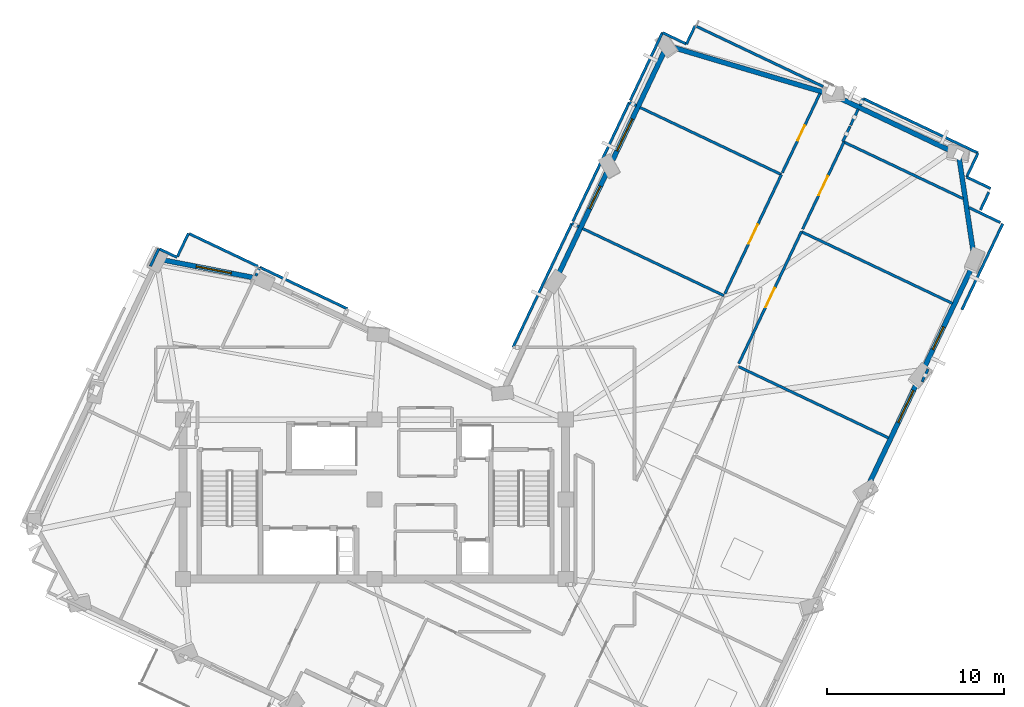
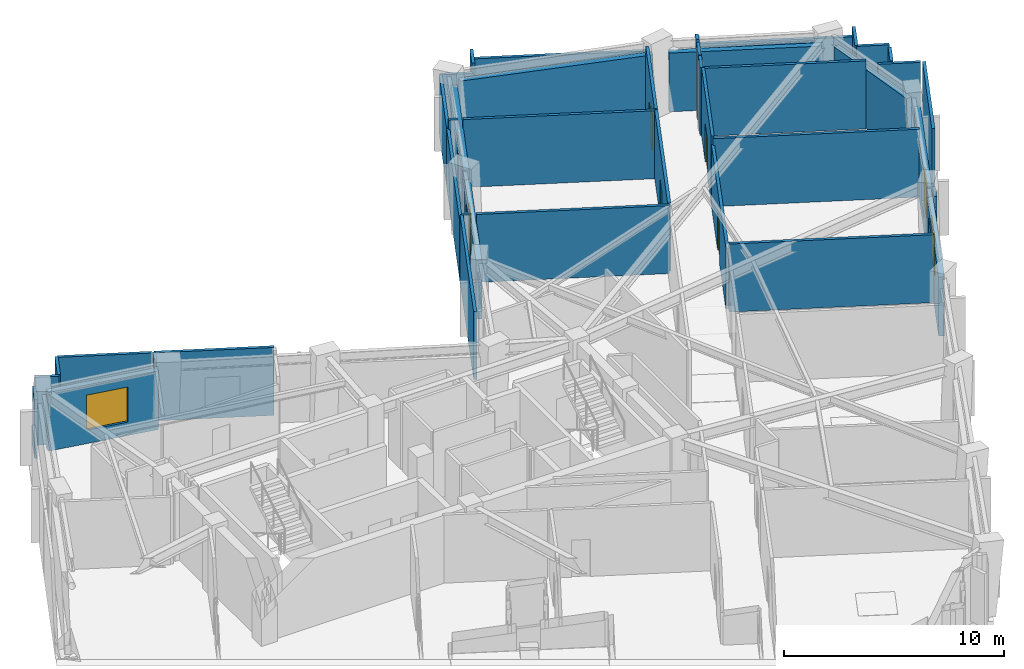
# One storey, part 8 of 13: 41 walls, 5 windows, 4 doors, 9 openings.
"""IFC4 building model written with IfcOpenShell, lengths in metres."""

from ifc_helpers import new_model, si_unit, direction, frame, frame_2d, origin, place, context, subcontext, project, spatial, rectangle, extrude, material, layer, layer_set, type_object, element, fill, save


model = new_model("IFC4")

# Units and contexts
model_context = context("Model", 3, precision=1e-05, world=origin(), true_north=direction((0.0, 1.0)))
body_context = subcontext(model_context, "Body", "Model", "MODEL_VIEW")
ifc_project = project(units=[si_unit("LENGTHUNIT", "METRE"), si_unit("AREAUNIT", "SQUARE_METRE"), si_unit("VOLUMEUNIT", "CUBIC_METRE"), si_unit("PLANEANGLEUNIT", "RADIAN"), si_unit("MASSUNIT", "GRAM", prefix="KILO")], contexts=[model_context])

# Site, building, storey
site_placement = place(None, origin())
site = spatial("IfcSite", under=ifc_project, at=site_placement, CompositionType="ELEMENT")
building_placement = place(site_placement, origin())
building = spatial("IfcBuilding", under=site, at=building_placement, Name="Gaonmaruhae Medical Tower", CompositionType="ELEMENT")
storey_placement = place(building_placement, frame((0.0, 0.0, 300.60009765625)))
storey = spatial("IfcBuildingStorey", under=building, at=storey_placement, Name="L72", CompositionType="ELEMENT", Elevation=300.60009765625)

# Wall, opening, window
ifc_material_1 = material(Name="Precast concrete C45/55", Category="concrete")
ifc_layer_1 = layer(ifc_material_1, 0.280029296875)
ifc_layer_set_1 = layer_set([ifc_layer_1], Name="Precast concrete C45/55")
wall_type_1 = type_object("IfcWallType", Name="EW-280 Upper Precast Masonry-Frame Facade Wall", PredefinedType="SOLIDWALL", material=ifc_layer_set_1)
wall_1_placement = place(storey_placement, frame((55.495849609375, 19.039794921875, 0.0), z_axis=(0.0, 0.0, 1.0), x_axis=(-0.428921563444, -0.903341736229, 0.0)))
wall_1 = element("IfcWall", 1, at=wall_1_placement, inside=storey, type_object=wall_type_1, Name="L72 Precast Masonry-Frame Wall S04-S05", PredefinedType="SOLIDWALL", context=body_context, shape_type="SweptSolid", body=[
    extrude(rectangle(XDim=6.406982421875, YDim=0.280029296875, at=frame_2d((3.20361328125, 0.0))), origin(), (0.0, 0.0, 1.0), 3.264892578125),
])
opening_1_placement = place(wall_1_placement, frame((0.652099609375, 0.0, 0.75)))
opening_1 = element("IfcOpeningElement", 2, at=opening_1_placement, cuts=wall_1, Name="Opening WN-02", PredefinedType="OPENING", context=body_context, shape_type="SweptSolid", body=[
    extrude(rectangle(XDim=2.0, YDim=1.949951171875, at=frame_2d((1.0, 0.97509765625))), frame((0.0, 0.14990234375, 0.0), z_axis=(0.0, -1.0, 0.0), x_axis=(1.0, 0.0, 0.0)), (0.0, 0.0, 1.0), 0.300048828125),
])
ifc_material_2 = material(Name="Anodised aluminium and Low-E double glazing", Category="aluminium")
window_type_1 = type_object("IfcWindowType", Name="WN-02 Double-Bed Ward Punched Window 2000x1950", PartitioningType="SINGLE_PANEL", PredefinedType="WINDOW", material=ifc_material_2)
window_1_placement = place(opening_1_placement, origin())
window_1 = element("IfcWindow", 3, at=window_1_placement, inside=storey, type_object=window_type_1, Name="L72 Modular Facade Window S04", OverallHeight=1.949951171875, OverallWidth=2.0, PartitioningType="SINGLE_PANEL", PredefinedType="WINDOW", context=body_context, shape_type="SweptSolid", body=[
    extrude(rectangle(XDim=2.0, YDim=1.949951171875, at=frame_2d((1.0, 0.97509765625))), frame((0.0, 0.030029296875, 0.0), z_axis=(0.0, -1.0, 0.0), x_axis=(1.0, 0.0, 0.0)), (0.0, 0.0, 1.0), 0.06005859375),
])
fill(opening_1, window_1)

wall_2_placement = place(storey_placement, frame((58.58837890625, 25.552734375, 0.0), z_axis=(0.0, 0.0, 1.0), x_axis=(-0.428939655653, -0.903333145527, 0.0)))
wall_2 = element("IfcWall", 4, at=wall_2_placement, inside=storey, type_object=wall_type_1, Name="L72 Precast Masonry-Frame Wall S05-S06", PredefinedType="SOLIDWALL", context=body_context, shape_type="SweptSolid", body=[
    extrude(rectangle(XDim=6.41845703125, YDim=0.280029296875, at=frame_2d((3.209228515625, 0.0))), origin(), (0.0, 0.0, 1.0), 3.264892578125),
])
opening_2_placement = place(wall_2_placement, frame((3.89794921875, 0.0, 0.75)))
opening_2 = element("IfcOpeningElement", 5, at=opening_2_placement, cuts=wall_2, Name="Opening WN-03", PredefinedType="OPENING", context=body_context, shape_type="SweptSolid", body=[
    extrude(rectangle(XDim=1.39990234375, YDim=1.85009765625, at=frame_2d((0.699951171875, 0.925048828125))), frame((0.0, 0.14990234375, 0.0), z_axis=(0.0, -1.0, 0.0), x_axis=(1.0, 0.0, 0.0)), (0.0, 0.0, 1.0), 0.300048828125),
])
window_type_2 = type_object("IfcWindowType", Name="WN-03 Isolation Ward Punched Window 1400x1850", PartitioningType="SINGLE_PANEL", PredefinedType="WINDOW", material=ifc_material_2)
window_2_placement = place(opening_2_placement, origin())
window_2 = element("IfcWindow", 6, at=window_2_placement, inside=storey, type_object=window_type_2, Name="L72 Modular Facade Window S05", OverallHeight=1.85009765625, OverallWidth=1.39990234375, PartitioningType="SINGLE_PANEL", PredefinedType="WINDOW", context=body_context, shape_type="SweptSolid", body=[
    extrude(rectangle(XDim=1.39990234375, YDim=1.85009765625, at=frame_2d((0.699951171875, 0.925048828125))), frame((0.0, 0.030029296875, 0.0), z_axis=(0.0, -1.0, 0.0), x_axis=(1.0, 0.0, 0.0)), (0.0, 0.0, 1.0), 0.06005859375),
])
fill(opening_2, window_2)

# Walls
wall_3_placement = place(storey_placement, frame((57.7978515625, 31.567138671875, 0.0), z_axis=(0.0, 0.0, 1.0), x_axis=(0.148726062193, -0.988878434604, 0.0)))
element("IfcWall", 7, at=wall_3_placement, inside=storey, type_object=wall_type_1, Name="L72 Precast Masonry-Frame Wall S06-E01", PredefinedType="SOLIDWALL", context=body_context, shape_type="SweptSolid", body=[
    extrude(rectangle(XDim=5.2939453125, YDim=0.280029296875, at=frame_2d((2.64697265625, 0.0))), origin(), (0.0, 0.0, 1.0), 3.264892578125),
])
wall_4_placement = place(storey_placement, frame((50.947998046875, 34.994384765625, 0.0), z_axis=(0.0, 0.0, 1.0), x_axis=(0.903327518923, -0.428951504901, 0.0)))
element("IfcWall", 8, at=wall_4_placement, inside=storey, type_object=wall_type_1, Name="L72 Precast Masonry-Frame Wall E01-E02", PredefinedType="SOLIDWALL", context=body_context, shape_type="SweptSolid", body=[
    extrude(rectangle(XDim=7.046142578125, YDim=0.280029296875, at=frame_2d((3.52294921875, 0.0))), origin(), (0.0, 0.0, 1.0), 3.264892578125),
])
wall_5_placement = place(storey_placement, frame((41.580322265625, 37.828125, 0.0), z_axis=(0.0, 0.0, 1.0), x_axis=(0.958274258343, -0.285850390585, 0.0)))
element("IfcWall", 9, at=wall_5_placement, inside=storey, type_object=wall_type_1, Name="L72 Precast Masonry-Frame Wall E02-E03", PredefinedType="SOLIDWALL", context=body_context, shape_type="SweptSolid", body=[
    extrude(rectangle(XDim=9.0361328125, YDim=0.280029296875, at=frame_2d((4.51806640625, 0.0))), origin(), (0.0, 0.0, 1.0), 3.264892578125),
])

# Wall, opening, window
wall_6_placement = place(storey_placement, frame((38.252197265625, 31.450439453125, 0.0), z_axis=(0.0, 0.0, 1.0), x_axis=(0.428943696589, 0.903331226714, 0.0)))
wall_6 = element("IfcWall", 10, at=wall_6_placement, inside=storey, type_object=wall_type_1, Name="L72 Precast Masonry-Frame Wall E03-EN01", PredefinedType="SOLIDWALL", context=body_context, shape_type="SweptSolid", body=[
    extrude(rectangle(XDim=6.780029296875, YDim=0.280029296875, at=frame_2d((3.39013671875, 0.0))), origin(), (0.0, 0.0, 1.0), 3.264892578125),
])
opening_3_placement = place(wall_6_placement, frame((0.56591796875, 0.0, 0.75)))
opening_3 = element("IfcOpeningElement", 11, at=opening_3_placement, cuts=wall_6, Name="Opening WN-02", PredefinedType="OPENING", context=body_context, shape_type="SweptSolid", body=[
    extrude(rectangle(XDim=2.0, YDim=1.949951171875, at=frame_2d((1.0, 0.97509765625))), frame((0.0, 0.14990234375, 0.0), z_axis=(0.0, -1.0, 0.0), x_axis=(1.0, 0.0, 0.0)), (0.0, 0.0, 1.0), 0.300048828125),
])
window_3_placement = place(opening_3_placement, origin())
window_3 = element("IfcWindow", 12, at=window_3_placement, inside=storey, type_object=window_type_1, Name="L72 Modular Facade Window E03", OverallHeight=1.949951171875, OverallWidth=2.0, PartitioningType="SINGLE_PANEL", PredefinedType="WINDOW", context=body_context, shape_type="SweptSolid", body=[
    extrude(rectangle(XDim=2.0, YDim=1.949951171875, at=frame_2d((1.0, 0.97509765625))), frame((0.0, 0.030029296875, 0.0), z_axis=(0.0, -1.0, 0.0), x_axis=(1.0, 0.0, 0.0)), (0.0, 0.0, 1.0), 0.06005859375),
])
fill(opening_3, window_3)

wall_7_placement = place(storey_placement, frame((35.16650390625, 24.951416015625, 0.0), z_axis=(0.0, 0.0, 1.0), x_axis=(0.42889830824, 0.903352777817, 0.0)))
wall_7 = element("IfcWall", 13, at=wall_7_placement, inside=storey, type_object=wall_type_1, Name="L72 Precast Masonry-Frame Wall EN01-EN02", PredefinedType="SOLIDWALL", context=body_context, shape_type="SweptSolid", body=[
    extrude(rectangle(XDim=6.409423828125, YDim=0.280029296875, at=frame_2d((3.20458984375, 0.0))), origin(), (0.0, 0.0, 1.0), 3.264892578125),
])
opening_4_placement = place(wall_7_placement, frame((4.155517578125, 0.0, 0.75)))
opening_4 = element("IfcOpeningElement", 14, at=opening_4_placement, cuts=wall_7, Name="Opening WN-03", PredefinedType="OPENING", context=body_context, shape_type="SweptSolid", body=[
    extrude(rectangle(XDim=1.39990234375, YDim=1.85009765625, at=frame_2d((0.699951171875, 0.925048828125))), frame((0.0, 0.14990234375, 0.0), z_axis=(0.0, -1.0, 0.0), x_axis=(1.0, 0.0, 0.0)), (0.0, 0.0, 1.0), 0.300048828125),
])
window_4_placement = place(opening_4_placement, origin())
window_4 = element("IfcWindow", 15, at=window_4_placement, inside=storey, type_object=window_type_2, Name="L72 Modular Facade Window EN01", OverallHeight=1.85009765625, OverallWidth=1.39990234375, PartitioningType="SINGLE_PANEL", PredefinedType="WINDOW", context=body_context, shape_type="SweptSolid", body=[
    extrude(rectangle(XDim=1.39990234375, YDim=1.85009765625, at=frame_2d((0.699951171875, 0.925048828125))), frame((0.0, 0.030029296875, 0.0), z_axis=(0.0, -1.0, 0.0), x_axis=(1.0, 0.0, 0.0)), (0.0, 0.0, 1.0), 0.06005859375),
])
fill(opening_4, window_4)

wall_8_placement = place(storey_placement, frame((12.954345703125, 25.797607421875, 0.0), z_axis=(0.0, 0.0, 1.0), x_axis=(0.981565032418, -0.191128457152, 0.0)))
wall_8 = element("IfcWall", 16, at=wall_8_placement, inside=storey, type_object=wall_type_1, Name="L72 Precast Masonry-Frame Wall NE02-N01", PredefinedType="SOLIDWALL", context=body_context, shape_type="SweptSolid", body=[
    extrude(rectangle(XDim=5.30224609375, YDim=0.280029296875, at=frame_2d((2.651123046875, 0.0))), origin(), (0.0, 0.0, 1.0), 3.264892578125),
])
opening_5_placement = place(wall_8_placement, frame((1.8369140625, 0.0, 0.75)))
opening_5 = element("IfcOpeningElement", 17, at=opening_5_placement, cuts=wall_8, Name="Opening WN-02", PredefinedType="OPENING", context=body_context, shape_type="SweptSolid", body=[
    extrude(rectangle(XDim=2.0, YDim=1.949951171875, at=frame_2d((1.0, 0.97509765625))), frame((0.0, 0.14990234375, 0.0), z_axis=(0.0, -1.0, 0.0), x_axis=(1.0, 0.0, 0.0)), (0.0, 0.0, 1.0), 0.300048828125),
])
window_5_placement = place(opening_5_placement, origin())
window_5 = element("IfcWindow", 18, at=window_5_placement, inside=storey, type_object=window_type_1, Name="L72 Modular Facade Window NE02", OverallHeight=1.949951171875, OverallWidth=2.0, PartitioningType="SINGLE_PANEL", PredefinedType="WINDOW", context=body_context, shape_type="SweptSolid", body=[
    extrude(rectangle(XDim=2.0, YDim=1.949951171875, at=frame_2d((1.0, 0.97509765625))), frame((0.0, 0.030029296875, 0.0), z_axis=(0.0, -1.0, 0.0), x_axis=(1.0, 0.0, 0.0)), (0.0, 0.0, 1.0), 0.06005859375),
])
fill(opening_5, window_5)

# Wall
ifc_material_3 = material(Name="Gypsum board partition", Category="gypsum")
ifc_layer_2 = layer(ifc_material_3, 0.14990234375)
ifc_layer_set_2 = layer_set([ifc_layer_2], Name="Gypsum board partition")
wall_type_2 = type_object("IfcWallType", Name="PW-150 Rated Clinical Corridor Partition", PredefinedType="PARTITIONING", material=ifc_layer_set_2)
wall_9_placement = place(storey_placement, frame((45.337890625, 19.797119140625, 0.0), z_axis=(0.0, 0.0, 1.0), x_axis=(0.90331631407, -0.428975100367, 0.0)))
element("IfcWall", 19, at=wall_9_placement, inside=storey, type_object=wall_type_2, Name="L72 Interior Partition L72-SUP04-31", PredefinedType="PARTITIONING", context=body_context, shape_type="SweptSolid", body=[
    extrude(rectangle(XDim=9.385498046875, YDim=0.14990234375, at=frame_2d((4.69287109375, 0.0))), origin(), (0.0, 0.0, 1.0), 3.77978515625),
])

# Wall, opening, door
wall_10_placement = place(storey_placement, frame((45.362060546875, 19.9619140625, 0.0), z_axis=(0.0, 0.0, 1.0), x_axis=(0.428857978155, 0.903371924831, 0.0)))
wall_10 = element("IfcWall", 20, at=wall_10_placement, inside=storey, type_object=wall_type_2, Name="L72 Interior Partition L72-SUP05-33", PredefinedType="PARTITIONING", context=body_context, shape_type="SweptSolid", body=[
    extrude(rectangle(XDim=8.240234375, YDim=0.14990234375, at=frame_2d((4.1201171875, 0.0))), origin(), (0.0, 0.0, 1.0), 3.414794921875),
])
opening_6_placement = place(wall_10_placement, frame((3.52001953125, 0.0, 0.0)))
opening_6 = element("IfcOpeningElement", 21, at=opening_6_placement, cuts=wall_10, Name="Opening CD-02", PredefinedType="OPENING", context=body_context, shape_type="SweptSolid", body=[
    extrude(rectangle(XDim=1.199951171875, YDim=2.14990234375, at=frame_2d((0.60009765625, 1.074951171875))), frame((0.0, 0.0849609375, 0.0), z_axis=(0.0, -1.0, 0.0), x_axis=(1.0, 0.0, 0.0)), (0.0, 0.0, 1.0), 0.169921875),
])
ifc_material_4 = material(Name="Antimicrobial laminate timber fire door", Category="wood")
door_type_1 = type_object("IfcDoorType", Name="CD-02 Clinical Treatment & Procedure Door 1200x2150", OperationType="NOTDEFINED", PredefinedType="DOOR", material=ifc_material_4)
door_1_placement = place(opening_6_placement, origin())
door_1 = element("IfcDoor", 22, at=door_1_placement, inside=storey, type_object=door_type_1, Name="L72 Clinical Biomedical Charting Office Door", OperationType="SINGLE_SWING_LEFT", OverallHeight=2.14990234375, OverallWidth=1.199951171875, PredefinedType="DOOR", context=body_context, shape_type="SweptSolid", body=[
    extrude(rectangle(XDim=1.199951171875, YDim=2.14990234375, at=frame_2d((0.60009765625, 1.074951171875))), frame((0.0, 0.02490234375, 0.0), z_axis=(0.0, -1.0, 0.0), x_axis=(1.0, 0.0, 0.0)), (0.0, 0.0, 1.0), 0.050048828125),
])
fill(opening_6, door_1)

# Walls
wall_11_placement = place(storey_placement, frame((48.89599609375, 27.406005859375, 0.0), z_axis=(0.0, 0.0, 1.0), x_axis=(0.903330146776, -0.428945970871, 0.0)))
element("IfcWall", 23, at=wall_11_placement, inside=storey, type_object=wall_type_2, Name="L72 Interior Partition L72-SUP05-34", PredefinedType="PARTITIONING", context=body_context, shape_type="SweptSolid", body=[
    extrude(rectangle(XDim=9.43505859375, YDim=0.14990234375, at=frame_2d((4.717529296875, 0.0))), origin(), (0.0, 0.0, 1.0), 3.77978515625),
])
wall_12_placement = place(storey_placement, frame((56.04296875, 19.656005859375, 0.0), z_axis=(0.0, 0.0, 1.0), x_axis=(-0.428232225255, -0.903668723179, 0.0)))
element("IfcWall", 24, at=wall_12_placement, inside=storey, type_object=wall_type_2, Name="L72 Interior Partition L72-SUP05-35", PredefinedType="PARTITIONING", context=body_context, shape_type="SweptSolid", body=[
    extrude(rectangle(XDim=0.791259765625, YDim=0.14990234375, at=frame_2d((0.3955078125, 0.0))), origin(), (0.0, 0.0, 1.0), 3.264892578125),
])

# Wall, opening, door
wall_13_placement = place(storey_placement, frame((48.965087890625, 27.550048828125, 0.0), z_axis=(0.0, 0.0, 1.0), x_axis=(0.428881036616, 0.903360977921, 0.0)))
wall_13 = element("IfcWall", 25, at=wall_13_placement, inside=storey, type_object=wall_type_2, Name="L72 Interior Partition L72-SUP06-37", PredefinedType="PARTITIONING", context=body_context, shape_type="SweptSolid", body=[
    extrude(rectangle(XDim=5.439697265625, YDim=0.14990234375, at=frame_2d((2.7197265625, 0.0))), origin(), (0.0, 0.0, 1.0), 3.77978515625),
])
opening_7_placement = place(wall_13_placement, frame((2.119873046875, 0.0, 0.0)))
opening_7 = element("IfcOpeningElement", 26, at=opening_7_placement, cuts=wall_13, Name="Opening CD-02", PredefinedType="OPENING", context=body_context, shape_type="SweptSolid", body=[
    extrude(rectangle(XDim=1.199951171875, YDim=2.14990234375, at=frame_2d((0.60009765625, 1.074951171875))), frame((0.0, 0.0849609375, 0.0), z_axis=(0.0, -1.0, 0.0), x_axis=(1.0, 0.0, 0.0)), (0.0, 0.0, 1.0), 0.169921875),
])
door_2_placement = place(opening_7_placement, origin())
door_2 = element("IfcDoor", 27, at=door_2_placement, inside=storey, type_object=door_type_1, Name="L72 Clinical Biomedical Charting Office Door", OperationType="SINGLE_SWING_LEFT", OverallHeight=2.14990234375, OverallWidth=1.199951171875, PredefinedType="DOOR", context=body_context, shape_type="SweptSolid", body=[
    extrude(rectangle(XDim=1.199951171875, YDim=2.14990234375, at=frame_2d((0.60009765625, 1.074951171875))), frame((0.0, 0.02490234375, 0.0), z_axis=(0.0, -1.0, 0.0), x_axis=(1.0, 0.0, 0.0)), (0.0, 0.0, 1.0), 0.050048828125),
])
fill(opening_7, door_2)

# Walls
wall_14_placement = place(storey_placement, frame((51.298095703125, 32.464111328125, 0.0), z_axis=(0.0, 0.0, 1.0), x_axis=(0.903391163135, -0.428817451103, 0.0)))
element("IfcWall", 28, at=wall_14_placement, inside=storey, type_object=wall_type_2, Name="L72 Interior Partition L72-SUP06-38", PredefinedType="PARTITIONING", context=body_context, shape_type="SweptSolid", body=[
    extrude(rectangle(XDim=7.448486328125, YDim=0.14990234375, at=frame_2d((3.72412109375, 0.0))), origin(), (0.0, 0.0, 1.0), 3.77978515625),
])
wall_15_placement = place(storey_placement, frame((58.35302734375, 28.76611328125, 0.0), z_axis=(0.0, 0.0, 1.0), x_axis=(0.903232633075, -0.429151267676, 0.0)))
element("IfcWall", 29, at=wall_15_placement, inside=storey, type_object=wall_type_2, Name="L72 Interior Partition L72-SUP06-40", PredefinedType="PARTITIONING", context=body_context, shape_type="SweptSolid", body=[
    extrude(rectangle(XDim=1.95068359375, YDim=0.14990234375, at=frame_2d((0.975341796875, 0.0))), origin(), (0.0, 0.0, 1.0), 3.77978515625),
])
wall_16_placement = place(storey_placement, frame((32.6240234375, 20.8798828125, 0.0), z_axis=(0.0, 0.0, 1.0), x_axis=(0.428933318591, 0.903336154597, 0.0)))
element("IfcWall", 30, at=wall_16_placement, inside=storey, type_object=wall_type_2, Name="L72 Interior Partition L72-IE02-69", PredefinedType="PARTITIONING", context=body_context, shape_type="SweptSolid", body=[
    extrude(rectangle(XDim=7.74267578125, YDim=0.14990234375, at=frame_2d((3.871337890625, 0.0))), origin(), (0.0, 0.0, 1.0), 3.77978515625),
])
wall_17_placement = place(storey_placement, frame((35.945068359375, 27.8740234375, 0.0), z_axis=(0.0, 0.0, 1.0), x_axis=(0.902902004989, -0.429846448615, 0.0)))
element("IfcWall", 31, at=wall_17_placement, inside=storey, type_object=wall_type_2, Name="L72 Interior Partition L72-IE02-70", PredefinedType="PARTITIONING", context=body_context, shape_type="SweptSolid", body=[
    extrude(rectangle(XDim=0.43505859375, YDim=0.14990234375, at=frame_2d((0.217529296875, 0.0))), origin(), (0.0, 0.0, 1.0), 3.77978515625),
])
wall_18_placement = place(storey_placement, frame((36.5458984375, 27.589111328125, 0.0), z_axis=(0.0, 0.0, 1.0), x_axis=(0.903322745046, -0.428961558047, 0.0)))
element("IfcWall", 32, at=wall_18_placement, inside=storey, type_object=wall_type_2, Name="L72 Interior Partition L72-IE02-71", PredefinedType="PARTITIONING", context=body_context, shape_type="SweptSolid", body=[
    extrude(rectangle(XDim=8.83544921875, YDim=0.14990234375, at=frame_2d((4.417724609375, 0.0))), origin(), (0.0, 0.0, 1.0), 3.77978515625),
])

# Wall, opening, door
wall_19_placement = place(storey_placement, frame((47.77001953125, 30.6279296875, 0.0), z_axis=(0.0, 0.0, 1.0), x_axis=(-0.428939661292, -0.90333314285, 0.0)))
wall_19 = element("IfcWall", 33, at=wall_19_placement, inside=storey, type_object=wall_type_2, Name="L72 Interior Partition L72-IE03-74", PredefinedType="PARTITIONING", context=body_context, shape_type="SweptSolid", body=[
    extrude(rectangle(XDim=7.43896484375, YDim=0.14990234375, at=frame_2d((3.719482421875, 0.0))), origin(), (0.0, 0.0, 1.0), 3.77978515625),
])
opening_8_placement = place(wall_19_placement, frame((3.11962890625, 0.0, 0.0)))
opening_8 = element("IfcOpeningElement", 34, at=opening_8_placement, cuts=wall_19, Name="Opening CD-02", PredefinedType="OPENING", context=body_context, shape_type="SweptSolid", body=[
    extrude(rectangle(XDim=1.199951171875, YDim=2.14990234375, at=frame_2d((0.60009765625, 1.074951171875))), frame((0.0, 0.0849609375, 0.0), z_axis=(0.0, -1.0, 0.0), x_axis=(1.0, 0.0, 0.0)), (0.0, 0.0, 1.0), 0.169921875),
])
door_3_placement = place(opening_8_placement, origin())
door_3 = element("IfcDoor", 35, at=door_3_placement, inside=storey, type_object=door_type_1, Name="L72 Clean Medication Preparation Room Door", OperationType="SINGLE_SWING_RIGHT", OverallHeight=2.14990234375, OverallWidth=1.199951171875, PredefinedType="DOOR", context=body_context, shape_type="SweptSolid", body=[
    extrude(rectangle(XDim=1.199951171875, YDim=2.14990234375, at=frame_2d((0.60009765625, 1.074951171875))), frame((0.0, 0.02490234375, 0.0), z_axis=(0.0, -1.0, 0.0), x_axis=(1.0, 0.0, 0.0)), (0.0, 0.0, 1.0), 0.050048828125),
])
fill(opening_8, door_3)

# Walls
wall_20_placement = place(storey_placement, frame((35.9970703125, 27.98291015625, 0.0), z_axis=(0.0, 0.0, 1.0), x_axis=(0.428939661292, 0.90333314285, 0.0)))
element("IfcWall", 36, at=wall_20_placement, inside=storey, type_object=wall_type_2, Name="L72 Interior Partition L72-IE03-75", PredefinedType="PARTITIONING", context=body_context, shape_type="SweptSolid", body=[
    extrude(rectangle(XDim=7.43896484375, YDim=0.14990234375, at=frame_2d((3.719482421875, 0.0))), origin(), (0.0, 0.0, 1.0), 3.264892578125),
])
wall_21_placement = place(storey_placement, frame((39.18798828125, 34.702880859375, 0.0), z_axis=(0.0, 0.0, 1.0), x_axis=(0.903223141394, -0.429171244203, 0.0)))
element("IfcWall", 37, at=wall_21_placement, inside=storey, type_object=wall_type_2, Name="L72 Interior Partition L72-IE03-76", PredefinedType="PARTITIONING", context=body_context, shape_type="SweptSolid", body=[
    extrude(rectangle(XDim=0.435302734375, YDim=0.14990234375, at=frame_2d((0.2177734375, 0.0))), origin(), (0.0, 0.0, 1.0), 3.77978515625),
])
wall_22_placement = place(storey_placement, frame((39.7890625, 34.41796875, 0.0), z_axis=(0.0, 0.0, 1.0), x_axis=(0.903317660318, -0.428972265487, 0.0)))
element("IfcWall", 38, at=wall_22_placement, inside=storey, type_object=wall_type_2, Name="L72 Interior Partition L72-IE03-77", PredefinedType="PARTITIONING", context=body_context, shape_type="SweptSolid", body=[
    extrude(rectangle(XDim=8.835205078125, YDim=0.14990234375, at=frame_2d((4.41748046875, 0.0))), origin(), (0.0, 0.0, 1.0), 3.77978515625),
])
wall_23_placement = place(storey_placement, frame((42.412109375, 37.99609375, 0.0), z_axis=(0.0, 0.0, 1.0), x_axis=(0.428785931743, 0.903406123922, 0.0)))
element("IfcWall", 39, at=wall_23_placement, inside=storey, type_object=wall_type_2, Name="L72 Interior Partition L72-IE04-78", PredefinedType="PARTITIONING", context=body_context, shape_type="SweptSolid", body=[
    extrude(rectangle(XDim=1.139892578125, YDim=0.14990234375, at=frame_2d((0.56982421875, 0.0))), origin(), (0.0, 0.0, 1.0), 3.77978515625),
])
wall_24_placement = place(storey_placement, frame((42.90087890625, 39.02587890625, 0.0), z_axis=(0.0, 0.0, 1.0), x_axis=(0.903324213929, -0.428958464807, 0.0)))
element("IfcWall", 40, at=wall_24_placement, inside=storey, type_object=wall_type_2, Name="L72 Interior Partition L72-IE04-79", PredefinedType="PARTITIONING", context=body_context, shape_type="SweptSolid", body=[
    extrude(rectangle(XDim=8.00048828125, YDim=0.14990234375, at=frame_2d((4.000244140625, 0.0))), origin(), (0.0, 0.0, 1.0), 3.264892578125),
])

# Wall, opening, door
wall_25_placement = place(storey_placement, frame((49.947021484375, 35.2119140625, 0.0), z_axis=(0.0, 0.0, 1.0), x_axis=(-0.429049779465, -0.903280845995, 0.0)))
wall_25 = element("IfcWall", 41, at=wall_25_placement, inside=storey, type_object=wall_type_2, Name="L72 Interior Partition L72-IE04-80", PredefinedType="PARTITIONING", context=body_context, shape_type="SweptSolid", body=[
    extrude(rectangle(XDim=4.955078125, YDim=0.14990234375, at=frame_2d((2.4775390625, 0.0))), origin(), (0.0, 0.0, 1.0), 3.77978515625),
])
opening_9_placement = place(wall_25_placement, frame((2.017578125, 0.0, 0.0)))
opening_9 = element("IfcOpeningElement", 42, at=opening_9_placement, cuts=wall_25, Name="Opening UD-01", PredefinedType="OPENING", context=body_context, shape_type="SweptSolid", body=[
    extrude(rectangle(XDim=0.919921875, YDim=2.10009765625, at=frame_2d((0.4599609375, 1.050048828125))), frame((0.0, 0.0849609375, 0.0), z_axis=(0.0, -1.0, 0.0), x_axis=(1.0, 0.0, 0.0)), (0.0, 0.0, 1.0), 0.169921875),
])
ifc_material_5 = material(Name="Powder-coated steel utility door", Category="steel")
door_type_2 = type_object("IfcDoorType", Name="UD-01 Toilet, Utility & Housekeeping Door 920x2100", OperationType="NOTDEFINED", PredefinedType="DOOR", material=ifc_material_5)
door_4_placement = place(opening_9_placement, origin())
door_4 = element("IfcDoor", 43, at=door_4_placement, inside=storey, type_object=door_type_2, Name="L72 Accessible Public Toilet Door", OperationType="SINGLE_SWING_RIGHT", OverallHeight=2.10009765625, OverallWidth=0.919921875, PredefinedType="DOOR", context=body_context, shape_type="SweptSolid", body=[
    extrude(rectangle(XDim=0.919921875, YDim=2.10009765625, at=frame_2d((0.4599609375, 1.050048828125))), frame((0.0, 0.02490234375, 0.0), z_axis=(0.0, -1.0, 0.0), x_axis=(1.0, 0.0, 0.0)), (0.0, 0.0, 1.0), 0.050048828125),
])
fill(opening_9, door_4)

# Walls
wall_26_placement = place(storey_placement, frame((39.239013671875, 34.81103515625, 0.0), z_axis=(0.0, 0.0, 1.0), x_axis=(0.428985127698, 0.903311552132, 0.0)))
element("IfcWall", 44, at=wall_26_placement, inside=storey, type_object=wall_type_2, Name="L72 Interior Partition L72-IE04-81", PredefinedType="PARTITIONING", context=body_context, shape_type="SweptSolid", body=[
    extrude(rectangle(XDim=4.237548828125, YDim=0.14990234375, at=frame_2d((2.11865234375, 0.0))), origin(), (0.0, 0.0, 1.0), 3.264892578125),
])
wall_27_placement = place(storey_placement, frame((41.056884765625, 38.638916015625, 0.0), z_axis=(0.0, 0.0, 1.0), x_axis=(0.903512345778, -0.428562062049, 0.0)))
element("IfcWall", 45, at=wall_27_placement, inside=storey, type_object=wall_type_2, Name="L72 Interior Partition L72-IE04-82", PredefinedType="PARTITIONING", context=body_context, shape_type="SweptSolid", body=[
    extrude(rectangle(XDim=1.5, YDim=0.14990234375, at=frame_2d((0.75, 0.0))), origin(), (0.0, 0.0, 1.0), 3.264892578125),
])
wall_28_placement = place(storey_placement, frame((18.343994140625, 25.402099609375, 0.0), z_axis=(0.0, 0.0, 1.0), x_axis=(0.90335735186, -0.42888867418, 0.0)))
element("IfcWall", 46, at=wall_28_placement, inside=storey, type_object=wall_type_2, Name="L72 Interior Partition L72-IN02-83", PredefinedType="PARTITIONING", context=body_context, shape_type="SweptSolid", body=[
    extrude(rectangle(XDim=5.4794921875, YDim=0.14990234375, at=frame_2d((2.73974609375, 0.0))), origin(), (0.0, 0.0, 1.0), 3.77978515625),
])
wall_29_placement = place(storey_placement, frame((18.111083984375, 24.910888671875, 0.0), z_axis=(0.0, 0.0, 1.0), x_axis=(0.428433800596, 0.903573172746, 0.0)))
element("IfcWall", 47, at=wall_29_placement, inside=storey, type_object=wall_type_2, Name="L72 Interior Partition L72-IN02-88", PredefinedType="PARTITIONING", context=body_context, shape_type="SweptSolid", body=[
    extrude(rectangle(XDim=0.543701171875, YDim=0.14990234375, at=frame_2d((0.27197265625, 0.0))), origin(), (0.0, 0.0, 1.0), 3.77978515625),
])
wall_30_placement = place(storey_placement, frame((12.16796875, 25.4541015625, 0.0), z_axis=(0.0, 0.0, 1.0), x_axis=(0.429486205046, 0.903073418762, 0.0)))
element("IfcWall", 48, at=wall_30_placement, inside=storey, type_object=wall_type_2, Name="L72 Interior Partition L72-IN03-95", PredefinedType="PARTITIONING", context=body_context, shape_type="SweptSolid", body=[
    extrude(rectangle(XDim=1.1015625, YDim=0.14990234375, at=frame_2d((0.55078125, 0.0))), origin(), (0.0, 0.0, 1.0), 3.264892578125),
])
wall_31_placement = place(storey_placement, frame((12.68603515625, 26.427978515625, 0.0), z_axis=(0.0, 0.0, 1.0), x_axis=(0.903203733751, -0.429212086664, 0.0)))
element("IfcWall", 49, at=wall_31_placement, inside=storey, type_object=wall_type_2, Name="L72 Interior Partition L72-IN03-96", PredefinedType="PARTITIONING", context=body_context, shape_type="SweptSolid", body=[
    extrude(rectangle(XDim=1.09033203125, YDim=0.14990234375, at=frame_2d((0.545166015625, 0.0))), origin(), (0.0, 0.0, 1.0), 3.77978515625),
])
wall_32_placement = place(storey_placement, frame((13.69189453125, 26.0048828125, 0.0), z_axis=(0.0, 0.0, 1.0), x_axis=(0.429489303732, 0.903071945074, 0.0)))
element("IfcWall", 50, at=wall_32_placement, inside=storey, type_object=wall_type_2, Name="L72 Interior Partition L72-IN03-97", PredefinedType="PARTITIONING", context=body_context, shape_type="SweptSolid", body=[
    extrude(rectangle(XDim=1.45068359375, YDim=0.14990234375, at=frame_2d((0.725341796875, 0.0))), origin(), (0.0, 0.0, 1.0), 3.77978515625),
])
wall_33_placement = place(storey_placement, frame((14.360107421875, 27.2939453125, 0.0), z_axis=(0.0, 0.0, 1.0), x_axis=(0.903348076648, -0.428908209779, 0.0)))
element("IfcWall", 51, at=wall_33_placement, inside=storey, type_object=wall_type_2, Name="L72 Interior Partition L72-IN03-98", PredefinedType="PARTITIONING", context=body_context, shape_type="SweptSolid", body=[
    extrude(rectangle(XDim=4.28955078125, YDim=0.14990234375, at=frame_2d((2.144775390625, 0.0))), origin(), (0.0, 0.0, 1.0), 3.77978515625),
])
wall_34_placement = place(storey_placement, frame((60.260009765625, 27.861083984375, 0.0), z_axis=(0.0, 0.0, 1.0), x_axis=(-0.429010449424, -0.903299526339, 0.0)))
element("IfcWall", 52, at=wall_34_placement, inside=storey, type_object=wall_type_2, Name="L72 Interior Partition L72-RM05-110", PredefinedType="PARTITIONING", context=body_context, shape_type="SweptSolid", body=[
    extrude(rectangle(XDim=5.370361328125, YDim=0.14990234375, at=frame_2d((2.68505859375, 0.0))), origin(), (0.0, 0.0, 1.0), 3.77978515625),
])
wall_35_placement = place(storey_placement, frame((51.235107421875, 32.493896484375, 0.0), z_axis=(0.0, 0.0, 1.0), x_axis=(0.429030753446, 0.903289882926, 0.0)))
element("IfcWall", 53, at=wall_35_placement, inside=storey, type_object=wall_type_2, Name="L72 Interior Partition L72-RM05-111", PredefinedType="PARTITIONING", context=body_context, shape_type="SweptSolid", body=[
    extrude(rectangle(XDim=0.955322265625, YDim=0.14990234375, at=frame_2d((0.4775390625, 0.0))), origin(), (0.0, 0.0, 1.0), 3.77978515625),
])
wall_36_placement = place(storey_placement, frame((59.47705078125, 29.637939453125, 0.0), z_axis=(0.0, 0.0, 1.0), x_axis=(-0.428823545912, -0.903388270054, 0.0)))
element("IfcWall", 54, at=wall_36_placement, inside=storey, type_object=wall_type_2, Name="L72 Interior Partition L72-RM05-114", PredefinedType="PARTITIONING", context=body_context, shape_type="SweptSolid", body=[
    extrude(rectangle(XDim=1.110107421875, YDim=0.14990234375, at=frame_2d((0.55517578125, 0.0))), origin(), (0.0, 0.0, 1.0), 3.77978515625),
])
wall_37_placement = place(storey_placement, frame((58.219970703125, 30.489013671875, 0.0), z_axis=(0.0, 0.0, 1.0), x_axis=(0.90341939824, -0.428757963056, 0.0)))
element("IfcWall", 55, at=wall_37_placement, inside=storey, type_object=wall_type_2, Name="L72 Interior Partition L72-RM06-115", PredefinedType="PARTITIONING", context=body_context, shape_type="SweptSolid", body=[
    extrude(rectangle(XDim=1.499755859375, YDim=0.14990234375, at=frame_2d((0.75, 0.0))), origin(), (0.0, 0.0, 1.0), 3.77978515625),
])
wall_38_placement = place(storey_placement, frame((51.669921875, 33.410888671875, 0.0), z_axis=(0.0, 0.0, 1.0), x_axis=(0.429650885409, 0.902995081198, 0.0)))
element("IfcWall", 56, at=wall_38_placement, inside=storey, type_object=wall_type_2, Name="L72 Interior Partition L72-RM06-116", PredefinedType="PARTITIONING", context=body_context, shape_type="SweptSolid", body=[
    extrude(rectangle(XDim=1.005859375, YDim=0.14990234375, at=frame_2d((0.5029296875, 0.0))), origin(), (0.0, 0.0, 1.0), 3.77978515625),
])
wall_39_placement = place(storey_placement, frame((52.199951171875, 34.527099609375, 0.0), z_axis=(0.0, 0.0, 1.0), x_axis=(0.429846448615, 0.902902004989, 0.0)))
element("IfcWall", 57, at=wall_39_placement, inside=storey, type_object=wall_type_2, Name="L72 Interior Partition L72-RM06-117", PredefinedType="PARTITIONING", context=body_context, shape_type="SweptSolid", body=[
    extrude(rectangle(XDim=0.43505859375, YDim=0.14990234375, at=frame_2d((0.217529296875, 0.0))), origin(), (0.0, 0.0, 1.0), 3.77978515625),
])
wall_40_placement = place(storey_placement, frame((52.386962890625, 34.919921875, 0.0), z_axis=(0.0, 0.0, 1.0), x_axis=(0.903313789713, -0.428980416004, 0.0)))
element("IfcWall", 58, at=wall_40_placement, inside=storey, type_object=wall_type_2, Name="L72 Interior Partition L72-RM06-118", PredefinedType="PARTITIONING", context=body_context, shape_type="SweptSolid", body=[
    extrude(rectangle(XDim=7.17041015625, YDim=0.14990234375, at=frame_2d((3.585205078125, 0.0))), origin(), (0.0, 0.0, 1.0), 3.264892578125),
])
wall_41_placement = place(storey_placement, frame((58.864013671875, 31.843994140625, 0.0), z_axis=(0.0, 0.0, 1.0), x_axis=(-0.429289157269, -0.903167104943, 0.0)))
element("IfcWall", 59, at=wall_41_placement, inside=storey, type_object=wall_type_2, Name="L72 Interior Partition L72-RM06-119", PredefinedType="PARTITIONING", context=body_context, shape_type="SweptSolid", body=[
    extrude(rectangle(XDim=1.500244140625, YDim=0.14990234375, at=frame_2d((0.75, 0.0))), origin(), (0.0, 0.0, 1.0), 3.77978515625),
])

save(model, "model.ifc")
